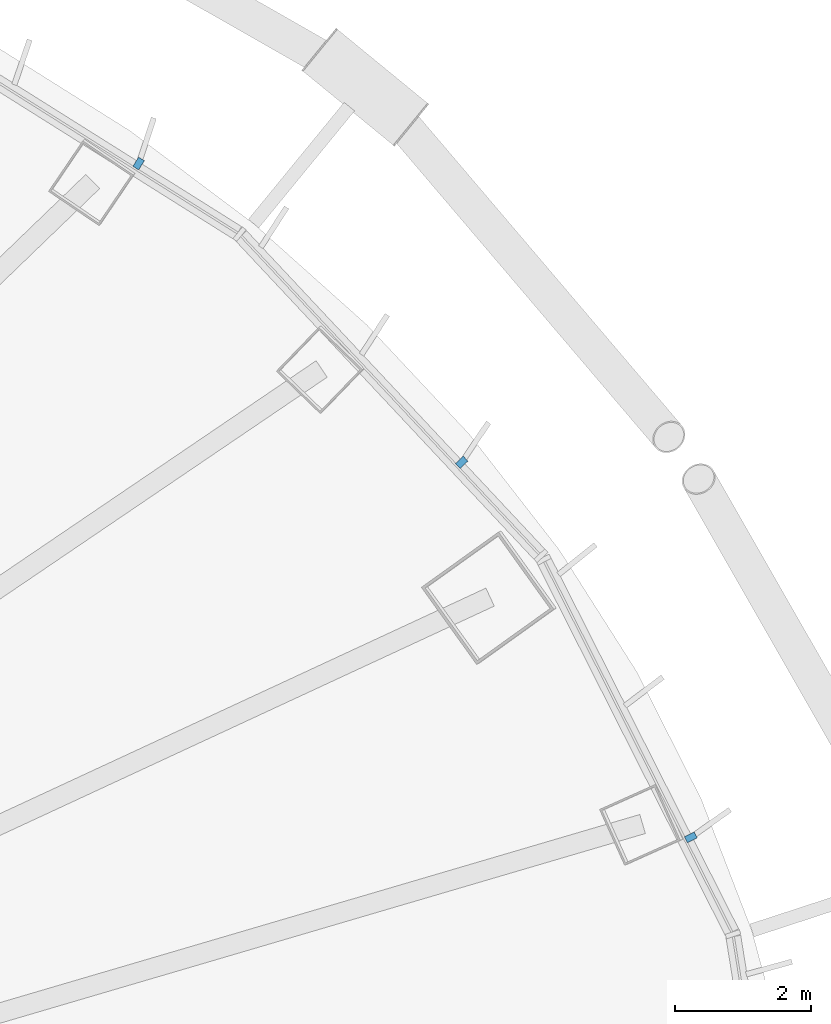
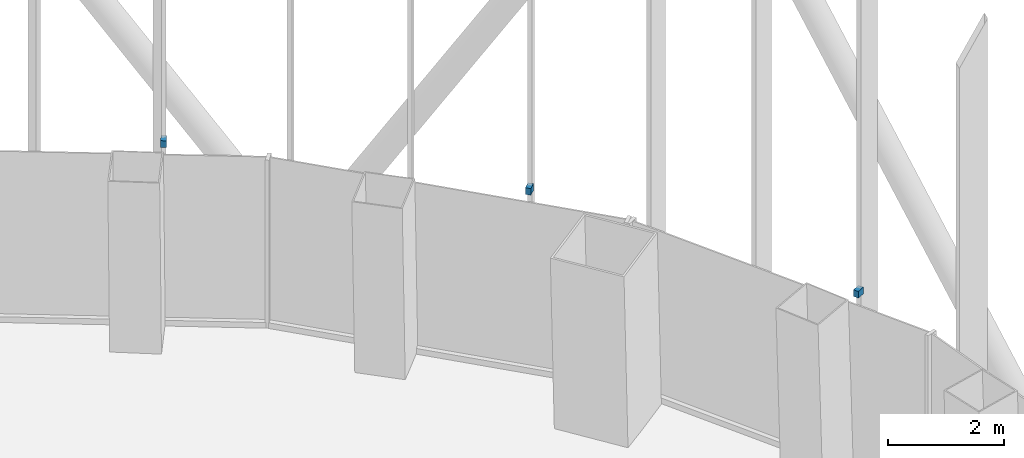
# One storey, part 18 of 22: 3 discrete accessories.
"""IFC4 building model written with IfcOpenShell, lengths in metres."""

from ifc_helpers import new_model, si_unit, direction, frame, origin, origin_2d, place, context, subcontext, project, spatial, rectangle, extrude, material, type_object, element, save


model = new_model("IFC4")

# Units and contexts
model_context = context("Model", 3, precision=1e-05, world=origin(), true_north=direction((0.0, 1.0)))
body_context = subcontext(model_context, "Body", "Model", "MODEL_VIEW")
ifc_project = project(units=[si_unit("LENGTHUNIT", "METRE"), si_unit("AREAUNIT", "SQUARE_METRE"), si_unit("VOLUMEUNIT", "CUBIC_METRE"), si_unit("PLANEANGLEUNIT", "RADIAN"), si_unit("MASSUNIT", "GRAM", prefix="KILO")], contexts=[model_context])

# Site, building, storey
site_placement = place(None, origin())
site = spatial("IfcSite", under=ifc_project, at=site_placement, CompositionType="ELEMENT")
building_placement = place(site_placement, origin())
building = spatial("IfcBuilding", under=site, at=building_placement, Name="Siaravel Broadcast Tower", CompositionType="ELEMENT")
storey_placement = place(building_placement, frame((0.0, 0.0, 37.10009765625)))
storey = spatial("IfcBuildingStorey", under=building, at=storey_placement, Name="L07", CompositionType="ELEMENT", Elevation=37.10009765625)

# Discrete accessories
ifc_material = material(Name="Stainless steel 316", Category="steel")
discrete_accessory_type = type_object("IfcDiscreteAccessoryType", Name="Stainless steel fin bracket", PredefinedType="USERDEFINED", material=ifc_material)
for number, where, z_axis, x_axis, name in (
    (1, (26.535400390625, 7.394775390625, 3.68994140625), (0.0, 0.0, 1.0), (0.892392151, 0.451260732, 0.0), "Fin bracket L07-04"),
    (2, (23.154052734375, 12.92822265625, 3.68994140625), (0.0, 0.0, 1.0), (0.729804415, 0.683655992, 0.0), "Fin bracket L07-07"),
    (3, (18.387939453125, 17.3369140625, 3.68994140625), (0.0, 0.0, 1.0), (0.532149452, 0.846650436, 0.0), "Fin bracket L07-10"),
):
    element("IfcDiscreteAccessory", number, at=place(storey_placement, frame(where, z_axis=z_axis, x_axis=x_axis)), inside=storey, type_object=discrete_accessory_type, Name=name, ObjectType="BRACKET", PredefinedType="USERDEFINED", context=body_context, shape_type="SweptSolid", body=[
        extrude(rectangle(XDim=0.159912109375, YDim=0.10009765625, at=origin_2d()), origin(), (0.0, 0.0, 1.0), 0.139892578125),
    ])

save(model, "model.ifc")
